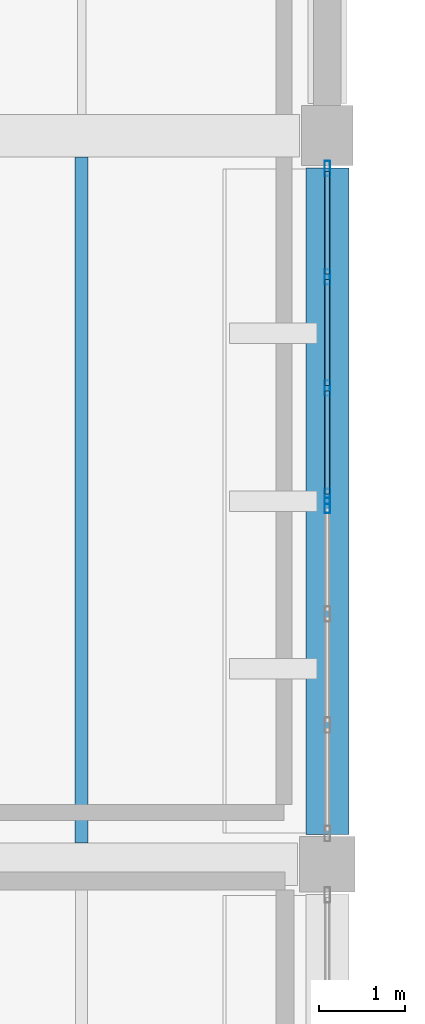
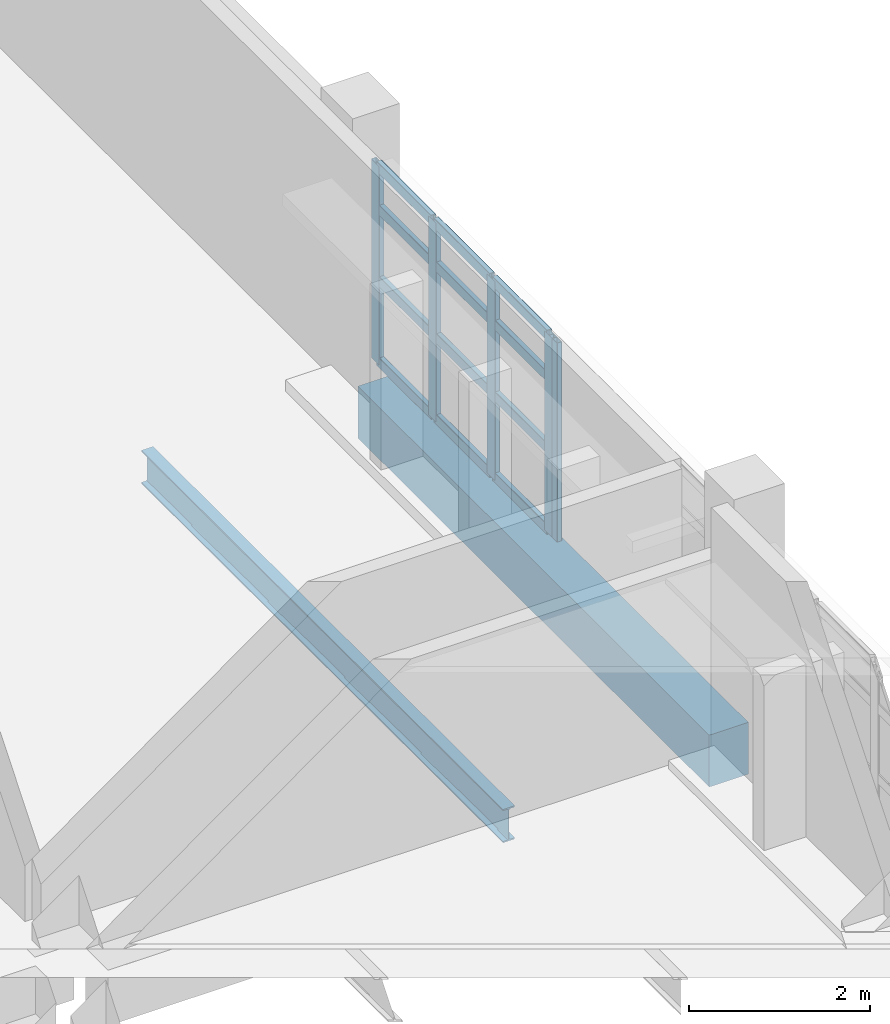
# One storey, part 21 of 93: 17 members, 2 beams, 2 elements without a shape of their own.
"""IFC4 building model written with IfcOpenShell, lengths in metres."""

from ifc_helpers import new_model, si_unit, direction, frame, origin, origin_2d, place, context, subcontext, project, spatial, rectangle, hollow_rectangle, i_section, extrude, material, material_profile, profile_set, type_object, element, aggregate, save


model = new_model("IFC4")

# Units and contexts
model_context = context("Model", 3, precision=1e-05, world=origin(), true_north=direction((0.0, 1.0)))
body_context = subcontext(model_context, "Body", "Model", "MODEL_VIEW")
ifc_project = project(units=[si_unit("LENGTHUNIT", "METRE"), si_unit("AREAUNIT", "SQUARE_METRE"), si_unit("VOLUMEUNIT", "CUBIC_METRE"), si_unit("PLANEANGLEUNIT", "RADIAN"), si_unit("MASSUNIT", "GRAM", prefix="KILO")], contexts=[model_context])

# Site, building, storey
site_placement = place(None, origin())
site = spatial("IfcSite", under=ifc_project, at=site_placement, CompositionType="ELEMENT")
building_placement = place(site_placement, origin())
building = spatial("IfcBuilding", under=site, at=building_placement, Name="Varnakota Cinema and Media Centre", CompositionType="ELEMENT")
storey_placement = place(building_placement, frame((0.0, 0.0, 12.0)))
storey = spatial("IfcBuildingStorey", under=building, at=storey_placement, Name="L03", CompositionType="ELEMENT", Elevation=12.0)

# Beams
ifc_material_1 = material(Name="Concrete M35", Category="concrete")
ifc_material_profile_1 = material_profile(ifc_material_1, rectangle(XDim=0.5, YDim=0.699951171875, at=origin_2d()), Name="RCB 500x700")
ifc_profile_set_1 = profile_set([ifc_material_profile_1], Name="Concrete M35")
beam_type_1 = type_object("IfcBeamType", Name="BM-RC-500x700", PredefinedType="BEAM", material=ifc_profile_set_1)
beam_1_placement = place(storey_placement, frame((34.39990234375, 52.85009765625, -0.610107421875), z_axis=(0.0, 1.0, 0.0), x_axis=(-1.0, 0.0, 0.0)))
element("IfcBeam", 1, at=beam_1_placement, inside=storey, type_object=beam_type_1, Name="L03 girder E/7-8", PredefinedType="BEAM", context=body_context, shape_type="SweptSolid", body=[
    extrude(rectangle(XDim=0.5, YDim=0.699951171875, at=origin_2d()), origin(), (0.0, 0.0, 1.0), 7.77490234375),
])
ifc_material_2 = material(Name="Structural steel Grade 350 (E350)", Category="steel")
ifc_material_profile_2 = material_profile(ifc_material_2, i_section(OverallWidth=0.14990234375, OverallDepth=0.449951171875, WebThickness=0.009521484375, FlangeThickness=0.017333984375, FilletRadius=0.014892578125, at=origin_2d()), Name="ISMB 450")
ifc_profile_set_2 = profile_set([ifc_material_profile_2], Name="Structural steel Grade 350 (E350)")
beam_type_2 = type_object("IfcBeamType", Name="BM-ST-ISMB450", PredefinedType="BEAM", material=ifc_profile_set_2)
beam_2_placement = place(storey_placement, frame((31.533203125, 52.75, -0.485107421875), z_axis=(0.0, 1.0, 0.0), x_axis=(-1.0, 0.0, 0.0)))
element("IfcBeam", 2, at=beam_2_placement, inside=storey, type_object=beam_type_2, Name="L03 steel joist D-E/7-8 #2", PredefinedType="BEAM", context=body_context, shape_type="SweptSolid", body=[
    extrude(i_section(OverallWidth=0.14990234375, OverallDepth=0.449951171875, WebThickness=0.009521484375, FlangeThickness=0.017333984375, FilletRadius=0.014892578125, at=origin_2d()), origin(), (0.0, 0.0, 1.0), 8.0),
])

# Curtain wall, member
ifc_material_3 = material(Name="Thermally broken anodised aluminium AW-6063", Category="aluminium")
curtain_wall_type = type_object("IfcCurtainWallType", Name="CW-STD-389x268", PredefinedType="USERDEFINED", material=ifc_material_3)
curtain_wall_1_placement = place(storey_placement, origin())
curtain_wall_1 = element("IfcCurtainWall", 3, at=curtain_wall_1_placement, inside=storey, type_object=curtain_wall_type, Name="L03 curtain wall CW-L03-V5-E-03-1", ObjectType="UNITISED CURTAIN WALL", PredefinedType="USERDEFINED")
ifc_material_4 = material(Name="Thermally broken anodised aluminium AW-6063", Category="aluminium")
ifc_material_profile_3 = material_profile(ifc_material_4, hollow_rectangle(XDim=0.06494140625, YDim=0.179931640625, WallThickness=0.00390625, InnerFilletRadius=0.00390625, OuterFilletRadius=0.008056640625, at=origin_2d()), Name="AL-MULLION 180x65x4")
ifc_profile_set_3 = profile_set([ifc_material_profile_3], Name="Thermally broken anodised aluminium AW-6063")
member_type_1 = type_object("IfcMemberType", Name="CWM-AL-180", PredefinedType="MULLION", material=ifc_profile_set_3)
member_1_placement = place(storey_placement, frame((34.39990234375, 56.68505859375, 0.0), z_axis=(0.0, 0.0, 1.0), x_axis=(-1.0, 0.0, 0.0)))
member_1 = element("IfcMember", 4, at=member_1_placement, type_object=member_type_1, Name="CW42 mullion 4", PredefinedType="MULLION", context=body_context, shape_type="SweptSolid", body=[
    extrude(hollow_rectangle(XDim=0.06494140625, YDim=0.179931640625, WallThickness=0.00390625, InnerFilletRadius=0.00390625, OuterFilletRadius=0.008056640625, at=origin_2d()), origin(), (0.0, 0.0, 1.0), 2.68505859375),
])
aggregate(curtain_wall_1, [member_1])

# Curtain wall, members
curtain_wall_2_placement = place(storey_placement, origin())
curtain_wall_2 = element("IfcCurtainWall", 5, at=curtain_wall_2_placement, inside=storey, type_object=curtain_wall_type, Name="L03 curtain wall CW-L03-V5-E-03-2", ObjectType="UNITISED CURTAIN WALL", PredefinedType="USERDEFINED")
member_2_placement = place(storey_placement, frame((34.39990234375, 56.7900390625, 0.0), z_axis=(0.0, 0.0, 1.0), x_axis=(-1.0, 0.0, 0.0)))
member_2 = element("IfcMember", 6, at=member_2_placement, type_object=member_type_1, Name="CW42 mullion 1", PredefinedType="MULLION", context=body_context, shape_type="SweptSolid", body=[
    extrude(hollow_rectangle(XDim=0.06494140625, YDim=0.179931640625, WallThickness=0.00390625, InnerFilletRadius=0.00390625, OuterFilletRadius=0.008056640625, at=origin_2d()), origin(), (0.0, 0.0, 1.0), 2.68505859375),
])
member_3_placement = place(storey_placement, frame((34.39990234375, 58.054931640625, 0.0), z_axis=(0.0, 0.0, 1.0), x_axis=(-1.0, 0.0, 0.0)))
member_3 = element("IfcMember", 7, at=member_3_placement, type_object=member_type_1, Name="CW42 mullion 2", PredefinedType="MULLION", context=body_context, shape_type="SweptSolid", body=[
    extrude(hollow_rectangle(XDim=0.06494140625, YDim=0.179931640625, WallThickness=0.00390625, InnerFilletRadius=0.00390625, OuterFilletRadius=0.008056640625, at=origin_2d()), origin(), (0.0, 0.0, 1.0), 2.68505859375),
])
member_4_placement = place(storey_placement, frame((34.39990234375, 59.3525390625, 0.0), z_axis=(0.0, 0.0, 1.0), x_axis=(-1.0, 0.0, 0.0)))
member_4 = element("IfcMember", 8, at=member_4_placement, type_object=member_type_1, Name="CW42 mullion 3", PredefinedType="MULLION", context=body_context, shape_type="SweptSolid", body=[
    extrude(hollow_rectangle(XDim=0.06494140625, YDim=0.179931640625, WallThickness=0.00390625, InnerFilletRadius=0.00390625, OuterFilletRadius=0.008056640625, at=origin_2d()), origin(), (0.0, 0.0, 1.0), 2.68505859375),
])
member_5_placement = place(storey_placement, frame((34.39990234375, 60.617431640625, 0.0), z_axis=(0.0, 0.0, 1.0), x_axis=(-1.0, 0.0, 0.0)))
member_5 = element("IfcMember", 9, at=member_5_placement, type_object=member_type_1, Name="CW42 mullion 4", PredefinedType="MULLION", context=body_context, shape_type="SweptSolid", body=[
    extrude(hollow_rectangle(XDim=0.06494140625, YDim=0.179931640625, WallThickness=0.00390625, InnerFilletRadius=0.00390625, OuterFilletRadius=0.008056640625, at=origin_2d()), origin(), (0.0, 0.0, 1.0), 2.68505859375),
])
ifc_material_5 = material(Name="Thermally broken anodised aluminium AW-6063", Category="aluminium")
ifc_material_profile_4 = material_profile(ifc_material_5, hollow_rectangle(XDim=0.06494140625, YDim=0.139892578125, WallThickness=0.00390625, InnerFilletRadius=0.00390625, OuterFilletRadius=0.008056640625, at=origin_2d()), Name="AL-TRANSOM 140x65x4")
ifc_profile_set_4 = profile_set([ifc_material_profile_4], Name="Thermally broken anodised aluminium AW-6063")
member_type_2 = type_object("IfcMemberType", Name="CWT-AL-140", PredefinedType="USERDEFINED", material=ifc_profile_set_4)
member_6_placement = place(storey_placement, frame((34.39990234375, 56.822509765625, 0.032470703125), z_axis=(0.0, 1.0, 0.0), x_axis=(-1.0, 0.0, 0.0)))
member_6 = element("IfcMember", 10, at=member_6_placement, type_object=member_type_2, Name="CW42 transom 1.1", ObjectType="TRANSOM", PredefinedType="USERDEFINED", context=body_context, shape_type="SweptSolid", body=[
    extrude(hollow_rectangle(XDim=0.06494140625, YDim=0.139892578125, WallThickness=0.00390625, InnerFilletRadius=0.00390625, OuterFilletRadius=0.008056640625, at=origin_2d()), origin(), (0.0, 0.0, 1.0), 1.199951171875),
])
member_7_placement = place(storey_placement, frame((34.39990234375, 56.822509765625, 1.127685546875), z_axis=(0.0, 1.0, 0.0), x_axis=(-1.0, 0.0, 0.0)))
member_7 = element("IfcMember", 11, at=member_7_placement, type_object=member_type_2, Name="CW42 transom 1.2", ObjectType="TRANSOM", PredefinedType="USERDEFINED", context=body_context, shape_type="SweptSolid", body=[
    extrude(hollow_rectangle(XDim=0.06494140625, YDim=0.139892578125, WallThickness=0.00390625, InnerFilletRadius=0.00390625, OuterFilletRadius=0.008056640625, at=origin_2d()), origin(), (0.0, 0.0, 1.0), 1.199951171875),
])
member_8_placement = place(storey_placement, frame((34.39990234375, 56.822509765625, 2.09423828125), z_axis=(0.0, 1.0, 0.0), x_axis=(-1.0, 0.0, 0.0)))
member_8 = element("IfcMember", 12, at=member_8_placement, type_object=member_type_2, Name="CW42 transom 1.3", ObjectType="TRANSOM", PredefinedType="USERDEFINED", context=body_context, shape_type="SweptSolid", body=[
    extrude(hollow_rectangle(XDim=0.06494140625, YDim=0.139892578125, WallThickness=0.00390625, InnerFilletRadius=0.00390625, OuterFilletRadius=0.008056640625, at=origin_2d()), origin(), (0.0, 0.0, 1.0), 1.199951171875),
])
member_9_placement = place(storey_placement, frame((34.39990234375, 56.822509765625, 2.652587890625), z_axis=(0.0, 1.0, 0.0), x_axis=(-1.0, 0.0, 0.0)))
member_9 = element("IfcMember", 13, at=member_9_placement, type_object=member_type_2, Name="CW42 transom 1.4", ObjectType="TRANSOM", PredefinedType="USERDEFINED", context=body_context, shape_type="SweptSolid", body=[
    extrude(hollow_rectangle(XDim=0.06494140625, YDim=0.139892578125, WallThickness=0.00390625, InnerFilletRadius=0.00390625, OuterFilletRadius=0.008056640625, at=origin_2d()), origin(), (0.0, 0.0, 1.0), 1.199951171875),
])
member_10_placement = place(storey_placement, frame((34.39990234375, 58.08740234375, 0.032470703125), z_axis=(0.0, 1.0, 0.0), x_axis=(-1.0, 0.0, 0.0)))
member_10 = element("IfcMember", 14, at=member_10_placement, type_object=member_type_2, Name="CW42 transom 2.1", ObjectType="TRANSOM", PredefinedType="USERDEFINED", context=body_context, shape_type="SweptSolid", body=[
    extrude(hollow_rectangle(XDim=0.06494140625, YDim=0.139892578125, WallThickness=0.00390625, InnerFilletRadius=0.00390625, OuterFilletRadius=0.008056640625, at=origin_2d()), origin(), (0.0, 0.0, 1.0), 1.232666015625),
])
member_11_placement = place(storey_placement, frame((34.39990234375, 58.08740234375, 1.127685546875), z_axis=(0.0, 1.0, 0.0), x_axis=(-1.0, 0.0, 0.0)))
member_11 = element("IfcMember", 15, at=member_11_placement, type_object=member_type_2, Name="CW42 transom 2.2", ObjectType="TRANSOM", PredefinedType="USERDEFINED", context=body_context, shape_type="SweptSolid", body=[
    extrude(hollow_rectangle(XDim=0.06494140625, YDim=0.139892578125, WallThickness=0.00390625, InnerFilletRadius=0.00390625, OuterFilletRadius=0.008056640625, at=origin_2d()), origin(), (0.0, 0.0, 1.0), 1.232666015625),
])
member_12_placement = place(storey_placement, frame((34.39990234375, 58.08740234375, 2.09423828125), z_axis=(0.0, 1.0, 0.0), x_axis=(-1.0, 0.0, 0.0)))
member_12 = element("IfcMember", 16, at=member_12_placement, type_object=member_type_2, Name="CW42 transom 2.3", ObjectType="TRANSOM", PredefinedType="USERDEFINED", context=body_context, shape_type="SweptSolid", body=[
    extrude(hollow_rectangle(XDim=0.06494140625, YDim=0.139892578125, WallThickness=0.00390625, InnerFilletRadius=0.00390625, OuterFilletRadius=0.008056640625, at=origin_2d()), origin(), (0.0, 0.0, 1.0), 1.232666015625),
])
member_13_placement = place(storey_placement, frame((34.39990234375, 58.08740234375, 2.652587890625), z_axis=(0.0, 1.0, 0.0), x_axis=(-1.0, 0.0, 0.0)))
member_13 = element("IfcMember", 17, at=member_13_placement, type_object=member_type_2, Name="CW42 transom 2.4", ObjectType="TRANSOM", PredefinedType="USERDEFINED", context=body_context, shape_type="SweptSolid", body=[
    extrude(hollow_rectangle(XDim=0.06494140625, YDim=0.139892578125, WallThickness=0.00390625, InnerFilletRadius=0.00390625, OuterFilletRadius=0.008056640625, at=origin_2d()), origin(), (0.0, 0.0, 1.0), 1.232666015625),
])
member_14_placement = place(storey_placement, frame((34.39990234375, 59.385009765625, 0.032470703125), z_axis=(0.0, 1.0, 0.0), x_axis=(-1.0, 0.0, 0.0)))
member_14 = element("IfcMember", 18, at=member_14_placement, type_object=member_type_2, Name="CW42 transom 3.1", ObjectType="TRANSOM", PredefinedType="USERDEFINED", context=body_context, shape_type="SweptSolid", body=[
    extrude(hollow_rectangle(XDim=0.06494140625, YDim=0.139892578125, WallThickness=0.00390625, InnerFilletRadius=0.00390625, OuterFilletRadius=0.008056640625, at=origin_2d()), origin(), (0.0, 0.0, 1.0), 1.199951171875),
])
member_15_placement = place(storey_placement, frame((34.39990234375, 59.385009765625, 1.127685546875), z_axis=(0.0, 1.0, 0.0), x_axis=(-1.0, 0.0, 0.0)))
member_15 = element("IfcMember", 19, at=member_15_placement, type_object=member_type_2, Name="CW42 transom 3.2", ObjectType="TRANSOM", PredefinedType="USERDEFINED", context=body_context, shape_type="SweptSolid", body=[
    extrude(hollow_rectangle(XDim=0.06494140625, YDim=0.139892578125, WallThickness=0.00390625, InnerFilletRadius=0.00390625, OuterFilletRadius=0.008056640625, at=origin_2d()), origin(), (0.0, 0.0, 1.0), 1.199951171875),
])
member_16_placement = place(storey_placement, frame((34.39990234375, 59.385009765625, 2.09423828125), z_axis=(0.0, 1.0, 0.0), x_axis=(-1.0, 0.0, 0.0)))
member_16 = element("IfcMember", 20, at=member_16_placement, type_object=member_type_2, Name="CW42 transom 3.3", ObjectType="TRANSOM", PredefinedType="USERDEFINED", context=body_context, shape_type="SweptSolid", body=[
    extrude(hollow_rectangle(XDim=0.06494140625, YDim=0.139892578125, WallThickness=0.00390625, InnerFilletRadius=0.00390625, OuterFilletRadius=0.008056640625, at=origin_2d()), origin(), (0.0, 0.0, 1.0), 1.199951171875),
])
member_17_placement = place(storey_placement, frame((34.39990234375, 59.385009765625, 2.652587890625), z_axis=(0.0, 1.0, 0.0), x_axis=(-1.0, 0.0, 0.0)))
member_17 = element("IfcMember", 21, at=member_17_placement, type_object=member_type_2, Name="CW42 transom 3.4", ObjectType="TRANSOM", PredefinedType="USERDEFINED", context=body_context, shape_type="SweptSolid", body=[
    extrude(hollow_rectangle(XDim=0.06494140625, YDim=0.139892578125, WallThickness=0.00390625, InnerFilletRadius=0.00390625, OuterFilletRadius=0.008056640625, at=origin_2d()), origin(), (0.0, 0.0, 1.0), 1.199951171875),
])
aggregate(curtain_wall_2, [member_2, member_3, member_4, member_5, member_6, member_7, member_8, member_9, member_10, member_11, member_12, member_13, member_14, member_15, member_16, member_17])

save(model, "model.ifc")
